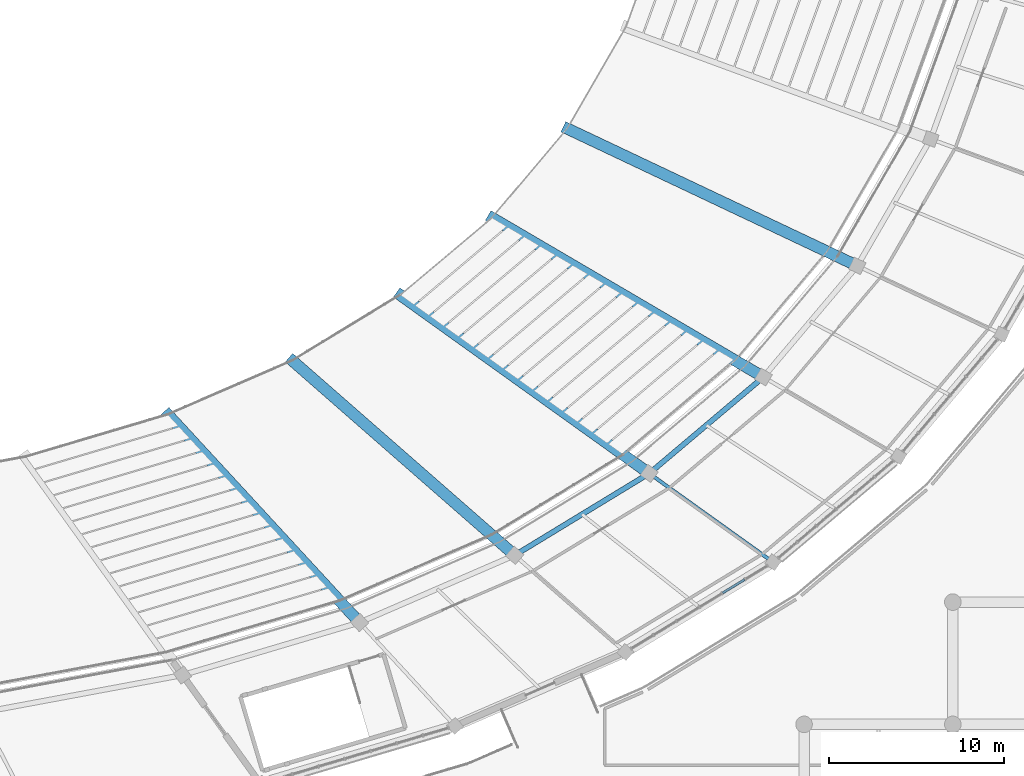
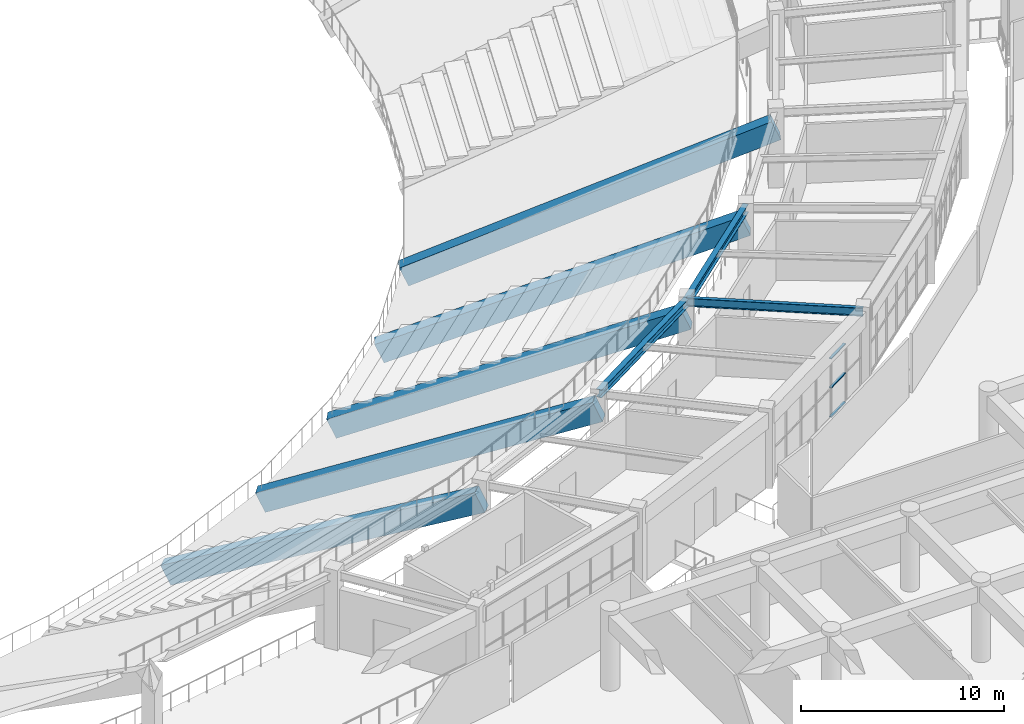
# One storey, part 36 of 137: 8 beams, 3 members, 1 element without a shape of its own.
"""IFC4 building model written with IfcOpenShell, lengths in metres."""

from ifc_helpers import new_model, si_unit, direction, frame, origin, origin_2d, place, context, subcontext, project, spatial, rectangle, i_section, extrude, material, layer, layer_set, material_profile, profile_set, type_object, element, aggregate, save


model = new_model("IFC4")

# Units and contexts
model_context = context("Model", 3, precision=1e-05, world=origin(), true_north=direction((0.0, 1.0)))
body_context = subcontext(model_context, "Body", "Model", "MODEL_VIEW")
ifc_project = project(units=[si_unit("LENGTHUNIT", "METRE"), si_unit("AREAUNIT", "SQUARE_METRE"), si_unit("VOLUMEUNIT", "CUBIC_METRE"), si_unit("PLANEANGLEUNIT", "RADIAN"), si_unit("MASSUNIT", "GRAM", prefix="KILO")], contexts=[model_context])

# Site, building, storey
site_placement = place(None, origin())
site = spatial("IfcSite", under=ifc_project, at=site_placement, CompositionType="ELEMENT")
building_placement = place(site_placement, origin())
building = spatial("IfcBuilding", under=site, at=building_placement, Name="Mphavela Belvedere Stadium", CompositionType="ELEMENT")
storey_placement = place(building_placement, frame((0.0, 0.0, 19.199951171875)))
storey = spatial("IfcBuildingStorey", under=building, at=storey_placement, Name="L04", CompositionType="ELEMENT", Elevation=19.199951171875)

# Beams
ifc_material_1 = material(Name="Precast concrete C45/55", Category="concrete")
ifc_material_profile_1 = material_profile(ifc_material_1, rectangle(XDim=0.64990234375, YDim=1.199951171875, at=origin_2d()), Name="PC 650x1200")
ifc_profile_set_1 = profile_set([ifc_material_profile_1], Name="Precast concrete C45/55")
beam_type_1 = type_object("IfcBeamType", Name="BM-RAKER-UPPER", PredefinedType="USERDEFINED", material=ifc_profile_set_1)
beam_1_placement = place(storey_placement, frame((159.495849609375, 38.740966796875, -4.349853515625), z_axis=(0.611484833259, -0.66318967186, 0.43158516869), x_axis=(0.73518469662, 0.6778668467, 0.0)))
element("IfcBeam", 1, at=beam_1_placement, inside=storey, type_object=beam_type_1, Name="Upper tier precast cantilever raker beam RK-U-41", ObjectType="RAKER BEAM", PredefinedType="USERDEFINED", context=body_context, shape_type="SweptSolid", body=[
    extrude(rectangle(XDim=0.64990234375, YDim=1.199951171875, at=origin_2d()), origin(), (0.0, 0.0, 1.0), 17.95703125),
])
beam_2_placement = place(storey_placement, frame((166.62158203125, 41.829833984375, -4.349853515625), z_axis=(0.684252041104, -0.598748403333, 0.416292557886), x_axis=(0.65852196664, 0.752561505429, 0.0)))
element("IfcBeam", 2, at=beam_2_placement, inside=storey, type_object=beam_type_1, Name="Upper tier precast cantilever raker beam RK-U-42", ObjectType="RAKER BEAM", PredefinedType="USERDEFINED", context=body_context, shape_type="SweptSolid", body=[
    extrude(rectangle(XDim=0.64990234375, YDim=1.199951171875, at=origin_2d()), origin(), (0.0, 0.0, 1.0), 18.61669921875),
])
beam_3_placement = place(storey_placement, frame((172.798583984375, 45.587646484375, -4.349853515625), z_axis=(0.743575410162, -0.532772672348, 0.40404070216), x_axis=(0.582430073559, 0.812880808861, 0.0)))
element("IfcBeam", 3, at=beam_3_placement, inside=storey, type_object=beam_type_1, Name="Upper tier precast cantilever raker beam RK-U-43", ObjectType="RAKER BEAM", PredefinedType="USERDEFINED", context=body_context, shape_type="SweptSolid", body=[
    extrude(rectangle(XDim=0.64990234375, YDim=1.199951171875, at=origin_2d()), origin(), (0.0, 0.0, 1.0), 19.18115234375),
])
beam_4_placement = place(storey_placement, frame((178.043212890625, 50.013427734375, -4.349853515625), z_axis=(0.792460869646, -0.464928119201, 0.394775396975), x_axis=(0.506028977575, 0.862516477439, 0.0)))
element("IfcBeam", 4, at=beam_4_placement, inside=storey, type_object=beam_type_1, Name="Upper tier precast cantilever raker beam RK-U-44", ObjectType="RAKER BEAM", PredefinedType="USERDEFINED", context=body_context, shape_type="SweptSolid", body=[
    extrude(rectangle(XDim=0.64990234375, YDim=1.199951171875, at=origin_2d()), origin(), (0.0, 0.0, 1.0), 19.63134765625),
])
beam_5_placement = place(storey_placement, frame((182.3544921875, 55.118896484375, -4.349853515625), z_axis=(0.832914269841, -0.39423956274, 0.388367076701), x_axis=(0.427821517517, 0.903863235866, 0.0)))
element("IfcBeam", 5, at=beam_5_placement, inside=storey, type_object=beam_type_1, Name="Upper tier precast cantilever raker beam RK-U-45", ObjectType="RAKER BEAM", PredefinedType="USERDEFINED", context=body_context, shape_type="SweptSolid", body=[
    extrude(rectangle(XDim=0.64990234375, YDim=1.199951171875, at=origin_2d()), origin(), (0.0, 0.0, 1.0), 19.955322265625),
])
ifc_material_2 = material(Name="Steel S355", Category="steel")
ifc_material_profile_2 = material_profile(ifc_material_2, i_section(OverallWidth=0.300048828125, OverallDepth=0.489990234375, WebThickness=0.011962890625, FlangeThickness=0.02294921875, at=origin_2d()), Name="HEA 500")
ifc_profile_set_2 = profile_set([ifc_material_profile_2], Name="Steel S355")
beam_type_2 = type_object("IfcBeamType", Name="BM-STEEL-HEA500", PredefinedType="BEAM", material=ifc_profile_set_2)
beam_6_placement = place(storey_placement, frame((179.360107421875, 30.68310546875, 4.304931640625), z_axis=(0.854315160357, 0.519755333579, 0.0), x_axis=(-0.519755333579, 0.854315160357, 0.0)))
element("IfcBeam", 6, at=beam_6_placement, inside=storey, type_object=beam_type_2, Name="Circumferential girder L04 R3-42", PredefinedType="BEAM", context=body_context, shape_type="SweptSolid", body=[
    extrude(i_section(OverallWidth=0.300048828125, OverallDepth=0.489990234375, WebThickness=0.011962890625, FlangeThickness=0.02294921875, at=origin_2d()), origin(), (0.0, 0.0, 1.0), 9.014404296875),
])
beam_7_placement = place(storey_placement, frame((187.061279296875, 35.368408203125, 4.304931640625), z_axis=(0.764263355392, 0.644904274761, 0.0), x_axis=(-0.644904274761, 0.764263355392, 0.0)))
element("IfcBeam", 7, at=beam_7_placement, inside=storey, type_object=beam_type_2, Name="Circumferential girder L04 R3-43", PredefinedType="BEAM", context=body_context, shape_type="SweptSolid", body=[
    extrude(i_section(OverallWidth=0.300048828125, OverallDepth=0.489990234375, WebThickness=0.011962890625, FlangeThickness=0.02294921875, at=origin_2d()), origin(), (0.0, 0.0, 1.0), 8.55615234375),
])
ifc_material_3 = material(Name="Steel S355", Category="steel")
ifc_material_profile_3 = material_profile(ifc_material_3, i_section(OverallWidth=0.199951171875, OverallDepth=0.5, WebThickness=0.01025390625, FlangeThickness=0.01611328125, at=origin_2d()), Name="IPE 500")
ifc_profile_set_3 = profile_set([ifc_material_profile_3], Name="Steel S355")
beam_type_3 = type_object("IfcBeamType", Name="BM-STEEL-IPE500", PredefinedType="BEAM", material=ifc_profile_set_3)
beam_8_placement = place(storey_placement, frame((187.061279296875, 35.368408203125, 4.300048828125), z_axis=(0.812882024932, -0.582428376319, 0.0), x_axis=(0.582428376319, 0.812882024932, 0.0)))
element("IfcBeam", 8, at=beam_8_placement, inside=storey, type_object=beam_type_3, Name="Radial concourse girder L04 R3R4-43", PredefinedType="BEAM", context=body_context, shape_type="SweptSolid", body=[
    extrude(i_section(OverallWidth=0.199951171875, OverallDepth=0.5, WebThickness=0.01025390625, FlangeThickness=0.01611328125, at=origin_2d()), origin(), (0.0, 0.0, 1.0), 8.727294921875),
])

# Curtain wall, members
ifc_material_4 = material(Name="Anodised bronze unitised curtain wall framing")
ifc_layer = layer(ifc_material_4, 0.199951171875)
ifc_layer_set = layer_set([ifc_layer], Name="Anodised bronze unitised curtain wall framing")
curtain_wall_type = type_object("IfcCurtainWallType", Name="CW-UNIT-05", PredefinedType="USERDEFINED", material=ifc_layer_set)
curtain_wall_placement = place(storey_placement, origin())
curtain_wall = element("IfcCurtainWall", 9, at=curtain_wall_placement, inside=storey, type_object=curtain_wall_type, Name="Belvedere colonnade curtain wall L04-42", ObjectType="UNITISED CURTAIN WALL", PredefinedType="USERDEFINED")
ifc_material_5 = material(Name="Anodised bronze extruded aluminium", Category="aluminium")
ifc_material_profile_4 = material_profile(ifc_material_5, rectangle(XDim=0.139892578125, YDim=0.06005859375, at=origin_2d()), Name="CW-TRN 140x60")
ifc_profile_set_4 = profile_set([ifc_material_profile_4], Name="Anodised bronze extruded aluminium")
member_type = type_object("IfcMemberType", Name="CWT-140x60", PredefinedType="USERDEFINED", material=ifc_profile_set_4)
member_1_placement = place(storey_placement, frame((191.264404296875, 28.526611328125, 0.030029296875), z_axis=(0.854339693741, 0.519715006228, 0.0), x_axis=(-0.519715006228, 0.854339693741, 0.0)))
member_1 = element("IfcMember", 10, at=member_1_placement, type_object=member_type, Name="CW-05 transom 5.1", ObjectType="TRANSOM", PredefinedType="USERDEFINED", context=body_context, shape_type="SweptSolid", body=[
    extrude(rectangle(XDim=0.139892578125, YDim=0.06005859375, at=origin_2d()), origin(), (0.0, 0.0, 1.0), 1.469482421875),
])
member_2_placement = place(storey_placement, frame((191.264404296875, 28.526611328125, 1.78515625), z_axis=(0.854339693741, 0.519715006228, 0.0), x_axis=(-0.519715006228, 0.854339693741, 0.0)))
member_2 = element("IfcMember", 11, at=member_2_placement, type_object=member_type, Name="CW-05 transom 5.2", ObjectType="TRANSOM", PredefinedType="USERDEFINED", context=body_context, shape_type="SweptSolid", body=[
    extrude(rectangle(XDim=0.139892578125, YDim=0.06005859375, at=origin_2d()), origin(), (0.0, 0.0, 1.0), 1.469482421875),
])
member_3_placement = place(storey_placement, frame((191.264404296875, 28.526611328125, 3.5400390625), z_axis=(0.854339693741, 0.519715006228, 0.0), x_axis=(-0.519715006228, 0.854339693741, 0.0)))
member_3 = element("IfcMember", 12, at=member_3_placement, type_object=member_type, Name="CW-05 transom 5.3", ObjectType="TRANSOM", PredefinedType="USERDEFINED", context=body_context, shape_type="SweptSolid", body=[
    extrude(rectangle(XDim=0.139892578125, YDim=0.06005859375, at=origin_2d()), origin(), (0.0, 0.0, 1.0), 1.469482421875),
])
aggregate(curtain_wall, [member_1, member_2, member_3])

save(model, "model.ifc")
